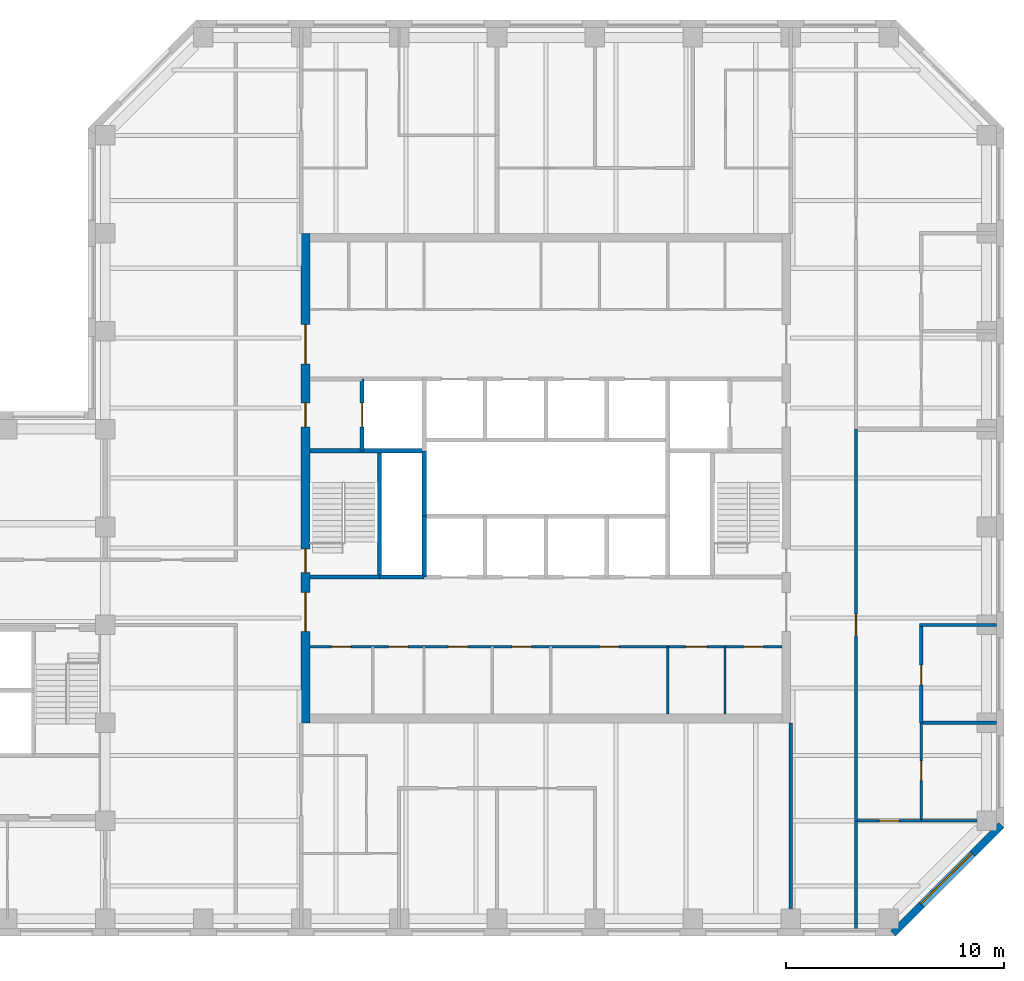
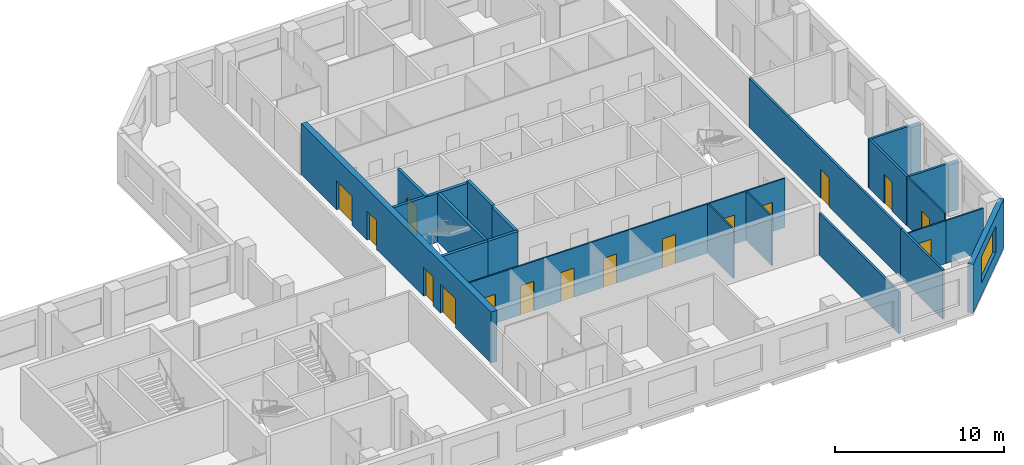
# One storey, part 5 of 9: 21 walls, 16 doors, 1 window, 17 openings.
"""IFC4 building model written with IfcOpenShell, lengths in metres."""

import ifcopenshell
import ifcopenshell.guid

model = None  # the IFC model being written
_history = None  # IfcOwnerHistory: only IFC2X3 demands one
_inside = {}  # id of a spatial element -> (the spatial element, [elements in it])
_under = {}  # id of a project, library or spatial element -> (it, [spatial elements below it])
_declared = {}  # id of a project -> (the project, [libraries it declares])
_typed = {}  # id of a type object -> (the type object, [elements of that type])
_made_of = {}  # id of a material, layer set ... -> (it, [elements and type objects made of it])


def new_model(schema):
    """Start an empty IFC model of exactly this schema.

    Asked for "IFC4X3", IfcOpenShell would pick the latest addendum, in which some entities
    have other attributes; the version numbers below select the first issue.
    IFC2X3 requires an IfcOwnerHistory on every rooted entity: one is made here for all.
    """
    global model, _history
    if schema == "IFC4X3":
        model = ifcopenshell.file(schema_version=(4, 3, 0, 0))
    else:
        model = ifcopenshell.file(schema=schema)
    _inside.clear()
    _under.clear()
    _declared.clear()
    _typed.clear()
    _made_of.clear()
    _history = None
    if model.schema == "IFC2X3":
        org = make("IfcOrganization", Name="unknown")
        user = make(
            "IfcPersonAndOrganization",
            ThePerson=make("IfcPerson", FamilyName="unknown"),
            TheOrganization=org,
        )
        app = make(
            "IfcApplication",
            ApplicationDeveloper=org,
            Version="unknown",
            ApplicationFullName="unknown",
            ApplicationIdentifier="unknown",
        )
        _history = make(
            "IfcOwnerHistory",
            OwningUser=user,
            OwningApplication=app,
            ChangeAction="ADDED",
            CreationDate=0,
        )
    return model


def make(cls, **values):
    """One entity of the class cls with the attributes given. An attribute that is None is left unset."""
    return model.create_entity(
        cls, **{name: value for name, value in values.items() if value is not None}
    )


def rooted(cls, **values):
    """An entity with a GlobalId (a new one), such as an element, a storey or a relation."""
    return make(cls, GlobalId=ifcopenshell.guid.new(), OwnerHistory=_history, **values)


def si_unit(unit_type, name, prefix=None):
    """IfcSIUnit, for example si_unit("LENGTHUNIT", "METRE", prefix="MILLI")."""
    return make("IfcSIUnit", UnitType=unit_type, Prefix=prefix, Name=name)


def assignment(units):
    """IfcUnitAssignment: the units of a project."""
    return None if units is None else make("IfcUnitAssignment", Units=units)


def point(xyz):
    """IfcCartesianPoint."""
    return None if xyz is None else make("IfcCartesianPoint", Coordinates=xyz)


def direction(xyz):
    """IfcDirection."""
    return None if xyz is None else make("IfcDirection", DirectionRatios=xyz)


def frame(location, z_axis=None, x_axis=None):
    """IfcAxis2Placement3D, a coordinate frame: its origin and axes. An axis left out is left unset."""
    return make(
        "IfcAxis2Placement3D",
        Location=point(location),
        Axis=direction(z_axis),
        RefDirection=direction(x_axis),
    )


def frame_2d(location, x_axis=None):
    """IfcAxis2Placement2D, a coordinate frame in the plane: its origin and x axis."""
    return make(
        "IfcAxis2Placement2D", Location=point(location), RefDirection=direction(x_axis)
    )


def origin():
    """The frame at (0, 0, 0) with its axes left unset."""
    return frame((0.0, 0.0, 0.0))


def place(relative_to, where):
    """IfcLocalPlacement: puts the frame where relative to a parent placement (None: the world)."""
    return make(
        "IfcLocalPlacement", PlacementRelTo=relative_to, RelativePlacement=where
    )


def context(
    kind, dimensions, precision=None, world=None, true_north=None, identifier=None
):
    """IfcGeometricRepresentationContext, for example the 3D "Model" context."""
    return make(
        "IfcGeometricRepresentationContext",
        ContextIdentifier=identifier,
        ContextType=kind,
        CoordinateSpaceDimension=dimensions,
        Precision=precision,
        WorldCoordinateSystem=world,
        TrueNorth=true_north,
    )


def subcontext(parent, identifier, kind, view, scale=None):
    """IfcGeometricRepresentationSubContext, for example "Body" below "Model"."""
    return make(
        "IfcGeometricRepresentationSubContext",
        ContextIdentifier=identifier,
        ContextType=kind,
        ParentContext=parent,
        TargetScale=scale,
        TargetView=view,
    )


def project(units=None, contexts=None):
    """IfcProject with its units and contexts."""
    return rooted(
        "IfcProject",
        Name="project",
        RepresentationContexts=contexts,
        UnitsInContext=assignment(units),
    )


def spatial(cls, under=None, at=None, **own):
    """A site, building, storey or space (cls), placed at a placement, below another one or the project."""
    s = rooted(cls, ObjectPlacement=at, **own)
    if under is not None:
        _under.setdefault(under.id(), (under, []))[1].append(s)
    return s


def profile(cls, at=None, kind="AREA", **sizes):
    """A parametric profile (cls). Its sizes go by their IFC names, for example OverallWidth=200.0."""
    return make(cls, ProfileType=kind, Position=at, **sizes)


def rectangle(**sizes):
    """IfcRectangleProfileDef."""
    return profile("IfcRectangleProfileDef", **sizes)


def extrude(swept, where, along, depth):
    """IfcExtrudedAreaSolid: the profile swept, set in the frame where, extruded along a direction by depth."""
    return make(
        "IfcExtrudedAreaSolid",
        SweptArea=swept,
        Position=where,
        ExtrudedDirection=direction(along),
        Depth=depth,
    )


def shape(context_of_items, identifier, shape_type, items):
    """IfcShapeRepresentation: the items that make up one representation, for example the "Body"."""
    return make(
        "IfcShapeRepresentation",
        ContextOfItems=context_of_items,
        RepresentationIdentifier=identifier,
        RepresentationType=shape_type,
        Items=items,
    )


def material(Name=None, Category=None):
    """IfcMaterial."""
    return make("IfcMaterial", Name=Name, Category=Category)


def layer(
    of_material, thickness, ventilated=None, Name=None, Category=None, Priority=None
):
    """IfcMaterialLayer: one layer of a wall or slab, of a material (None: an air gap)."""
    return make(
        "IfcMaterialLayer",
        Material=of_material,
        LayerThickness=thickness,
        IsVentilated=ventilated,
        Name=Name,
        Category=Category,
        Priority=Priority,
    )


def layer_set(layers, Name=None):
    """IfcMaterialLayerSet."""
    return make("IfcMaterialLayerSet", MaterialLayers=layers, LayerSetName=Name)


def constituent(of_material, Name=None, Category=None, fraction=None):
    """IfcMaterialConstituent: one of the materials an element consists of."""
    return make(
        "IfcMaterialConstituent",
        Name=Name,
        Material=of_material,
        Fraction=fraction,
        Category=Category,
    )


def constituent_set(constituents=None, Name=None):
    """IfcMaterialConstituentSet."""
    return make(
        "IfcMaterialConstituentSet", Name=Name, MaterialConstituents=constituents
    )


def made_of(thing, what):
    """Note that an element or type object is made of a material, layer set ...; save() writes the relation."""
    if what is not None:
        _made_of.setdefault(what.id(), (what, []))[1].append(thing)
    return thing


def type_object(cls, material=None, **own):
    """A type object (cls), such as IfcWallType, which elements share."""
    return made_of(rooted(cls, **own), material)


def element(
    cls,
    number,
    at=None,
    inside=None,
    cuts=None,
    type_object=None,
    material=None,
    context=None,
    identifier="Body",
    shape_type=None,
    held_by="IfcProductDefinitionShape",
    body=None,
    shapes=None,
    **own,
):
    """One element of the class cls, such as IfcWall. Its Tag is "e" and its number.

    at: its placement. inside: the storey or other place that contains it. cuts: it is an
    opening in that element (IfcRelVoidsElement). A single representation is given by context,
    identifier, shape_type and body (its items); several are given by shapes. held_by: the class
    of the entity that holds the representations. save() writes the other relations.
    """
    e = rooted(cls, Tag="e%d" % number, ObjectPlacement=at, **own)
    if body is not None:
        shapes = [shape(context, identifier, shape_type, body)]
    if shapes is not None:
        e.Representation = make(held_by, Representations=shapes)
    if inside is not None:
        _inside.setdefault(inside.id(), (inside, []))[1].append(e)
    if cuts is not None:
        rooted(
            "IfcRelVoidsElement", RelatingBuildingElement=cuts, RelatedOpeningElement=e
        )
    if type_object is not None:
        _typed.setdefault(type_object.id(), (type_object, []))[1].append(e)
    return made_of(e, material)


def fill(opening, filler):
    """IfcRelFillsElement: the door or window that sits in an opening."""
    return rooted(
        "IfcRelFillsElement",
        RelatingOpeningElement=opening,
        RelatedBuildingElement=filler,
    )


def aggregate(whole, parts):
    """IfcRelAggregates: a whole, such as a stair, and the parts it consists of."""
    return rooted("IfcRelAggregates", RelatingObject=whole, RelatedObjects=parts)


def save(model, path):
    """Write the relations noted so far, then the file.

    IfcRelAggregates (storeys below a building ...), IfcRelContainedInSpatialStructure (elements
    in a storey), IfcRelDefinesByType, IfcRelAssociatesMaterial and IfcRelDeclares: one each for
    every whole, place, type object, material and project.
    """
    for whole, parts in _under.values():
        aggregate(whole, parts)
    for where, things in _inside.values():
        rooted(
            "IfcRelContainedInSpatialStructure",
            RelatedElements=things,
            RelatingStructure=where,
        )
    for kind, things in _typed.values():
        rooted("IfcRelDefinesByType", RelatedObjects=things, RelatingType=kind)
    for what, things in _made_of.values():
        rooted("IfcRelAssociatesMaterial", RelatedObjects=things, RelatingMaterial=what)
    for by, libraries in _declared.values():
        rooted("IfcRelDeclares", RelatingContext=by, RelatedDefinitions=libraries)
    model.write(path)


model = new_model("IFC4")

# Units and contexts
model_context = context("Model", 3, precision=1e-05, world=origin(), true_north=direction((0.0, 1.0)))
body_context = subcontext(model_context, "Body", "Model", "MODEL_VIEW")
ifc_project = project(units=[si_unit("LENGTHUNIT", "METRE"), si_unit("AREAUNIT", "SQUARE_METRE"), si_unit("VOLUMEUNIT", "CUBIC_METRE"), si_unit("PLANEANGLEUNIT", "RADIAN"), si_unit("MASSUNIT", "GRAM", prefix="KILO")], contexts=[model_context])

# Site, building, storey
site_placement = place(None, origin())
site = spatial("IfcSite", under=ifc_project, at=site_placement, CompositionType="ELEMENT")
building_placement = place(site_placement, origin())
building = spatial("IfcBuilding", under=site, at=building_placement, Name="Quoin Convention Tower", CompositionType="ELEMENT")
storey_placement = place(building_placement, frame((0.0, 0.0, 252.60009765625)))
storey = spatial("IfcBuildingStorey", under=building, at=storey_placement, Name="L66", CompositionType="ELEMENT", Elevation=252.60009765625)

# Walls
ifc_material_1 = material(Name="Plasterboard")
ifc_layer_1 = layer(ifc_material_1, 0.012451171875, Name="Finish")
ifc_material_2 = material(Name="Steel stud framing", Category="steel")
ifc_layer_2 = layer(ifc_material_2, 0.125, Name="Structure")
ifc_layer_3 = layer(ifc_material_1, 0.012451171875, Name="Finish")
ifc_layer_set_1 = layer_set([ifc_layer_1, ifc_layer_2, ifc_layer_3], Name="Steel stud framing")
wall_type_1 = type_object("IfcWallType", Name="Acoustic partition 150", PredefinedType="PARTITIONING", material=ifc_layer_set_1)
wall_1_placement = place(storey_placement, frame((73.574951171875, 49.5, 0.0), z_axis=(0.0, 0.0, 1.0), x_axis=(1.0, 0.0, 0.0)))
element("IfcWall", 1, at=wall_1_placement, inside=storey, type_object=wall_type_1, Name="pw-L66-013", PredefinedType="PARTITIONING", context=body_context, shape_type="SweptSolid", body=[
    extrude(rectangle(XDim=3.375, YDim=0.14990234375, at=frame_2d((1.6875, 0.0))), origin(), (0.0, 0.0, 1.0), 3.5498046875),
])
wall_2_placement = place(storey_placement, frame((73.425048828125, 54.0, 0.0), z_axis=(0.0, 0.0, 1.0), x_axis=(1.0, 0.0, 0.0)))
element("IfcWall", 2, at=wall_2_placement, inside=storey, type_object=wall_type_1, Name="pw-L66-017", PredefinedType="PARTITIONING", context=body_context, shape_type="SweptSolid", body=[
    extrude(rectangle(XDim=3.52490234375, YDim=0.14990234375, at=frame_2d((1.762451171875, 0.0))), origin(), (0.0, 0.0, 1.0), 3.5498046875),
])

# Wall, opening, door
wall_3_placement = place(storey_placement, frame((73.5, 49.5, 0.0), z_axis=(0.0, 0.0, 1.0), x_axis=(0.0, 1.0, 0.0)))
wall_3 = element("IfcWall", 3, at=wall_3_placement, inside=storey, type_object=wall_type_1, Name="pw-L66-054", PredefinedType="PARTITIONING", context=body_context, shape_type="SweptSolid", body=[
    extrude(rectangle(XDim=4.425048828125, YDim=0.14990234375, at=frame_2d((2.21240234375, 0.0))), origin(), (0.0, 0.0, 1.0), 3.5498046875),
])
opening_1_placement = place(wall_3_placement, frame((1.75, 0.0, 0.0)))
opening_1 = element("IfcOpeningElement", 4, at=opening_1_placement, cuts=wall_3, Name="Opening DOH12-14", PredefinedType="OPENING", context=body_context, shape_type="SweptSolid", body=[
    extrude(rectangle(XDim=0.89990234375, YDim=2.10009765625, at=frame_2d((0.449951171875, 1.050048828125))), frame((0.0, 0.0849609375, 0.0), z_axis=(0.0, -1.0, 0.0), x_axis=(1.0, 0.0, 0.0)), (0.0, 0.0, 1.0), 0.169921875),
])
ifc_material_3 = material(Name="Steel door leaf", Category="steel")
door_type_1 = type_object("IfcDoorType", Name="Office door 900 x 2100", OperationType="SINGLE_SWING_RIGHT", PredefinedType="DOOR", material=ifc_material_3)
door_1_placement = place(opening_1_placement, origin())
door_1 = element("IfcDoor", 5, at=door_1_placement, inside=storey, type_object=door_type_1, Name="dr-L66-26", OperationType="SINGLE_SWING_RIGHT", OverallHeight=2.10009765625, OverallWidth=0.89990234375, PredefinedType="DOOR", context=body_context, shape_type="SweptSolid", body=[
    extrude(rectangle(XDim=0.89990234375, YDim=2.10009765625, at=frame_2d((0.449951171875, 1.050048828125))), frame((0.0, 0.02490234375, 0.0), z_axis=(0.0, -1.0, 0.0), x_axis=(1.0, 0.0, 0.0)), (0.0, 0.0, 1.0), 0.050048828125),
])
fill(opening_1, door_1)

# Wall, opening, window
ifc_material_4 = material(Name="Brick masonry", Category="masonry")
ifc_layer_4 = layer(ifc_material_4, 0.35009765625)
ifc_layer_set_2 = layer_set([ifc_layer_4], Name="Brick masonry")
wall_type_2 = type_object("IfcWallType", Name="Brick facade wall", PredefinedType="STANDARD", material=ifc_layer_set_2)
wall_4_placement = place(storey_placement, frame((72.20751953125, 39.82373046875, 0.0), z_axis=(0.0, 0.0, 1.0), x_axis=(0.707106781187, 0.707106781187, 0.0)))
wall_4 = element("IfcWall", 6, at=wall_4_placement, inside=storey, type_object=wall_type_2, Name="fw-L66-72000_40500", PredefinedType="STANDARD", context=body_context, shape_type="SweptSolid", body=[
    extrude(rectangle(XDim=7.02685546875, YDim=0.35009765625, at=frame_2d((3.513427734375, 0.0))), origin(), (0.0, 0.0, 1.0), 3.52490234375),
])
opening_2_placement = place(wall_4_placement, frame((1.86328125, 0.0, 0.89990234375)))
opening_2 = element("IfcOpeningElement", 7, at=opening_2_placement, cuts=wall_4, Name="Opening W-02", PredefinedType="OPENING", context=body_context, shape_type="SweptSolid", body=[
    extrude(rectangle(XDim=3.300048828125, YDim=1.89990234375, at=frame_2d((1.64990234375, 0.949951171875))), frame((0.0, 0.18505859375, 0.0), z_axis=(0.0, -1.0, 0.0), x_axis=(1.0, 0.0, 0.0)), (0.0, 0.0, 1.0), 0.3701171875),
])
ifc_material_5 = material(Name="Aluminium", Category="aluminium")
ifc_constituent_1 = constituent(ifc_material_5, Name="Frame")
ifc_material_6 = material(Name="Insulated glass", Category="glass")
ifc_constituent_2 = constituent(ifc_material_6, Name="Glazing")
ifc_constituent_set = constituent_set(constituents=[ifc_constituent_1, ifc_constituent_2], Name="Aluminium")
window_type = type_object("IfcWindowType", Name="Office window", PartitioningType="DOUBLE_PANEL_VERTICAL", PredefinedType="WINDOW", material=ifc_constituent_set)
window_placement = place(opening_2_placement, origin())
window = element("IfcWindow", 8, at=window_placement, inside=storey, type_object=window_type, Name="win-L66-74692_42308", OverallHeight=1.89990234375, OverallWidth=3.300048828125, PartitioningType="SINGLE_PANEL", PredefinedType="WINDOW", context=body_context, shape_type="SweptSolid", body=[
    extrude(rectangle(XDim=3.300048828125, YDim=1.89990234375, at=frame_2d((1.64990234375, 0.949951171875))), frame((0.0, 0.0849609375, 0.0), z_axis=(0.0, -1.0, 0.0), x_axis=(1.0, 0.0, 0.0)), (0.0, 0.0, 1.0), 0.06005859375),
])
fill(opening_2, window)

# Wall, openings, doors
ifc_layer_5 = layer(ifc_material_1, 0.012451171875, Name="Finish")
ifc_layer_6 = layer(ifc_material_2, 0.074951171875, Name="Structure")
ifc_layer_7 = layer(ifc_material_1, 0.012451171875, Name="Finish")
ifc_layer_set_3 = layer_set([ifc_layer_5, ifc_layer_6, ifc_layer_7], Name="Steel stud framing")
wall_type_3 = type_object("IfcWallType", Name="Core partition wall", PredefinedType="PARTITIONING", material=ifc_layer_set_3)
wall_5_placement = place(storey_placement, frame((45.39990234375, 53.0, 0.0), z_axis=(0.0, 0.0, 1.0), x_axis=(1.0, 0.0, 0.0)))
wall_5 = element("IfcWall", 9, at=wall_5_placement, inside=storey, type_object=wall_type_3, Name="cr-C1-L66-h3500_400", PredefinedType="PARTITIONING", context=body_context, shape_type="SweptSolid", body=[
    extrude(rectangle(XDim=21.7001953125, YDim=0.10009765625, at=frame_2d((10.85009765625, 0.0))), origin(), (0.0, 0.0, 1.0), 3.5498046875),
])
opening_3_placement = place(wall_5_placement, frame((19.9375, 0.0, 0.0)))
opening_3 = element("IfcOpeningElement", 10, at=opening_3_placement, cuts=wall_5, Name="Opening DCV4-33", PredefinedType="OPENING", context=body_context, shape_type="SweptSolid", body=[
    extrude(rectangle(XDim=0.89990234375, YDim=2.10009765625, at=frame_2d((0.449951171875, 1.050048828125))), frame((0.0, 0.06005859375, 0.0), z_axis=(0.0, -1.0, 0.0), x_axis=(1.0, 0.0, 0.0)), (0.0, 0.0, 1.0), 0.1201171875),
])
opening_4_placement = place(wall_5_placement, frame((17.262451171875, 0.0, 0.0)))
opening_4 = element("IfcOpeningElement", 11, at=opening_4_placement, cuts=wall_5, Name="Opening DCV4-32", PredefinedType="OPENING", context=body_context, shape_type="SweptSolid", body=[
    extrude(rectangle(XDim=1.0, YDim=2.10009765625, at=frame_2d((0.5, 1.050048828125))), frame((0.0, 0.06005859375, 0.0), z_axis=(0.0, -1.0, 0.0), x_axis=(1.0, 0.0, 0.0)), (0.0, 0.0, 1.0), 0.1201171875),
])
opening_5_placement = place(wall_5_placement, frame((0.993896484375, 0.0, 0.0)))
opening_5 = element("IfcOpeningElement", 12, at=opening_5_placement, cuts=wall_5, Name="Opening DCV4-25", PredefinedType="OPENING", context=body_context, shape_type="SweptSolid", body=[
    extrude(rectangle(XDim=0.89990234375, YDim=2.10009765625, at=frame_2d((0.449951171875, 1.050048828125))), frame((0.0, 0.06005859375, 0.0), z_axis=(0.0, -1.0, 0.0), x_axis=(1.0, 0.0, 0.0)), (0.0, 0.0, 1.0), 0.1201171875),
])
opening_6_placement = place(wall_5_placement, frame((3.618896484375, 0.0, 0.0)))
opening_6 = element("IfcOpeningElement", 13, at=opening_6_placement, cuts=wall_5, Name="Opening DCV4-26", PredefinedType="OPENING", context=body_context, shape_type="SweptSolid", body=[
    extrude(rectangle(XDim=0.89990234375, YDim=2.10009765625, at=frame_2d((0.449951171875, 1.050048828125))), frame((0.0, 0.06005859375, 0.0), z_axis=(0.0, -1.0, 0.0), x_axis=(1.0, 0.0, 0.0)), (0.0, 0.0, 1.0), 0.1201171875),
])
opening_7_placement = place(wall_5_placement, frame((6.367919921875, 0.0, 0.0)))
opening_7 = element("IfcOpeningElement", 14, at=opening_7_placement, cuts=wall_5, Name="Opening DCV4-27", PredefinedType="OPENING", context=body_context, shape_type="SweptSolid", body=[
    extrude(rectangle(XDim=0.89990234375, YDim=2.10009765625, at=frame_2d((0.449951171875, 1.050048828125))), frame((0.0, 0.06005859375, 0.0), z_axis=(0.0, -1.0, 0.0), x_axis=(1.0, 0.0, 0.0)), (0.0, 0.0, 1.0), 0.1201171875),
])
opening_8_placement = place(wall_5_placement, frame((9.280029296875, 0.0, 0.0)))
opening_8 = element("IfcOpeningElement", 15, at=opening_8_placement, cuts=wall_5, Name="Opening DCV4-29", PredefinedType="OPENING", context=body_context, shape_type="SweptSolid", body=[
    extrude(rectangle(XDim=0.89990234375, YDim=2.10009765625, at=frame_2d((0.449951171875, 1.050048828125))), frame((0.0, 0.06005859375, 0.0), z_axis=(0.0, -1.0, 0.0), x_axis=(1.0, 0.0, 0.0)), (0.0, 0.0, 1.0), 0.1201171875),
])
opening_9_placement = place(wall_5_placement, frame((13.31201171875, 0.0, 0.0)))
opening_9 = element("IfcOpeningElement", 16, at=opening_9_placement, cuts=wall_5, Name="Opening DCV4-30", PredefinedType="OPENING", context=body_context, shape_type="SweptSolid", body=[
    extrude(rectangle(XDim=0.89990234375, YDim=2.10009765625, at=frame_2d((0.449951171875, 1.050048828125))), frame((0.0, 0.06005859375, 0.0), z_axis=(0.0, -1.0, 0.0), x_axis=(1.0, 0.0, 0.0)), (0.0, 0.0, 1.0), 0.1201171875),
])
door_type_2 = type_object("IfcDoorType", Name="Core room door 1000 x 2100", OperationType="SINGLE_SWING_LEFT", PredefinedType="DOOR", material=ifc_material_3)
door_2_placement = place(opening_4_placement, frame((1.0, 0.0, 0.0), z_axis=(0.0, 0.0, 1.0), x_axis=(-1.0, 0.0, 0.0)))
door_2 = element("IfcDoor", 17, at=door_2_placement, inside=storey, type_object=door_type_2, Name="cd-C1-L66-CSE1-lobA-CD6613", OperationType="SINGLE_SWING_LEFT", OverallHeight=2.10009765625, OverallWidth=1.0, PredefinedType="DOOR", context=body_context, shape_type="SweptSolid", body=[
    extrude(rectangle(XDim=1.0, YDim=2.10009765625, at=frame_2d((0.5, 1.050048828125))), frame((0.0, 0.02490234375, 0.0), z_axis=(0.0, -1.0, 0.0), x_axis=(1.0, 0.0, 0.0)), (0.0, 0.0, 1.0), 0.050048828125),
])
fill(opening_4, door_2)
door_type_3 = type_object("IfcDoorType", Name="Core room door 900 x 2100", OperationType="SINGLE_SWING_LEFT", PredefinedType="DOOR", material=ifc_material_3)
door_3_placement = place(opening_3_placement, frame((0.89990234375, 0.0, 0.0), z_axis=(0.0, 0.0, 1.0), x_axis=(-1.0, 0.0, 0.0)))
door_3 = element("IfcDoor", 18, at=door_3_placement, inside=storey, type_object=door_type_3, Name="cd-C1-L66-CSE0-lobA-CD6612", OperationType="SINGLE_SWING_LEFT", OverallHeight=2.10009765625, OverallWidth=0.89990234375, PredefinedType="DOOR", context=body_context, shape_type="SweptSolid", body=[
    extrude(rectangle(XDim=0.89990234375, YDim=2.10009765625, at=frame_2d((0.449951171875, 1.050048828125))), frame((0.0, 0.02490234375, 0.0), z_axis=(0.0, -1.0, 0.0), x_axis=(1.0, 0.0, 0.0)), (0.0, 0.0, 1.0), 0.050048828125),
])
fill(opening_3, door_3)
door_4_placement = place(opening_5_placement, frame((0.89990234375, 0.0, 0.0), z_axis=(0.0, 0.0, 1.0), x_axis=(-1.0, 0.0, 0.0)))
door_4 = element("IfcDoor", 19, at=door_4_placement, inside=storey, type_object=door_type_3, Name="cd-C1-L66-CSW0-lobA-CD6614", OperationType="SINGLE_SWING_LEFT", OverallHeight=2.10009765625, OverallWidth=0.89990234375, PredefinedType="DOOR", context=body_context, shape_type="SweptSolid", body=[
    extrude(rectangle(XDim=0.89990234375, YDim=2.10009765625, at=frame_2d((0.449951171875, 1.050048828125))), frame((0.0, 0.02490234375, 0.0), z_axis=(0.0, -1.0, 0.0), x_axis=(1.0, 0.0, 0.0)), (0.0, 0.0, 1.0), 0.050048828125),
])
fill(opening_5, door_4)
door_5_placement = place(opening_6_placement, frame((0.89990234375, 0.0, 0.0), z_axis=(0.0, 0.0, 1.0), x_axis=(-1.0, 0.0, 0.0)))
door_5 = element("IfcDoor", 20, at=door_5_placement, inside=storey, type_object=door_type_3, Name="cd-C1-L66-CSW1-lobA-CD6615", OperationType="SINGLE_SWING_LEFT", OverallHeight=2.10009765625, OverallWidth=0.89990234375, PredefinedType="DOOR", context=body_context, shape_type="SweptSolid", body=[
    extrude(rectangle(XDim=0.89990234375, YDim=2.10009765625, at=frame_2d((0.449951171875, 1.050048828125))), frame((0.0, 0.02490234375, 0.0), z_axis=(0.0, -1.0, 0.0), x_axis=(1.0, 0.0, 0.0)), (0.0, 0.0, 1.0), 0.050048828125),
])
fill(opening_6, door_5)
door_6_placement = place(opening_7_placement, frame((0.89990234375, 0.0, 0.0), z_axis=(0.0, 0.0, 1.0), x_axis=(-1.0, 0.0, 0.0)))
door_6 = element("IfcDoor", 21, at=door_6_placement, inside=storey, type_object=door_type_3, Name="cd-C1-L66-F10-lobA-CD6616", OperationType="SINGLE_SWING_LEFT", OverallHeight=2.10009765625, OverallWidth=0.89990234375, PredefinedType="DOOR", context=body_context, shape_type="SweptSolid", body=[
    extrude(rectangle(XDim=0.89990234375, YDim=2.10009765625, at=frame_2d((0.449951171875, 1.050048828125))), frame((0.0, 0.02490234375, 0.0), z_axis=(0.0, -1.0, 0.0), x_axis=(1.0, 0.0, 0.0)), (0.0, 0.0, 1.0), 0.050048828125),
])
fill(opening_7, door_6)
door_7_placement = place(opening_8_placement, frame((0.89990234375, 0.0, 0.0), z_axis=(0.0, 0.0, 1.0), x_axis=(-1.0, 0.0, 0.0)))
door_7 = element("IfcDoor", 22, at=door_7_placement, inside=storey, type_object=door_type_3, Name="cd-C1-L66-F11-lobA-CD6617", OperationType="SINGLE_SWING_LEFT", OverallHeight=2.10009765625, OverallWidth=0.89990234375, PredefinedType="DOOR", context=body_context, shape_type="SweptSolid", body=[
    extrude(rectangle(XDim=0.89990234375, YDim=2.10009765625, at=frame_2d((0.449951171875, 1.050048828125))), frame((0.0, 0.02490234375, 0.0), z_axis=(0.0, -1.0, 0.0), x_axis=(1.0, 0.0, 0.0)), (0.0, 0.0, 1.0), 0.050048828125),
])
fill(opening_8, door_7)
door_8_placement = place(opening_9_placement, frame((0.89990234375, 0.0, 0.0), z_axis=(0.0, 0.0, 1.0), x_axis=(-1.0, 0.0, 0.0)))
door_8 = element("IfcDoor", 23, at=door_8_placement, inside=storey, type_object=door_type_3, Name="cd-C1-L66-F12-lobA-CD6618", OperationType="SINGLE_SWING_LEFT", OverallHeight=2.10009765625, OverallWidth=0.89990234375, PredefinedType="DOOR", context=body_context, shape_type="SweptSolid", body=[
    extrude(rectangle(XDim=0.89990234375, YDim=2.10009765625, at=frame_2d((0.449951171875, 1.050048828125))), frame((0.0, 0.02490234375, 0.0), z_axis=(0.0, -1.0, 0.0), x_axis=(1.0, 0.0, 0.0)), (0.0, 0.0, 1.0), 0.050048828125),
])
fill(opening_9, door_8)

# Walls
for number, where, z_axis, x_axis, name in (
    (24, (61.85009765625, 49.89990234375, 0.0), (0.0, 0.0, 1.0), (0.0, 1.0, 0.0), "cr-C1-L66-v16850_400"),
    (25, (64.47509765625, 49.89990234375, 0.0), (0.0, 0.0, 1.0), (0.0, 1.0, 0.0), "cr-C1-L66-v19475_400"),
):
    element("IfcWall", number, at=place(storey_placement, frame(where, z_axis=z_axis, x_axis=x_axis)), inside=storey, type_object=wall_type_3, Name=name, PredefinedType="PARTITIONING", context=body_context, shape_type="SweptSolid", body=[
        extrude(rectangle(XDim=3.10009765625, YDim=0.10009765625, at=frame_2d((1.550048828125, 0.0))), origin(), (0.0, 0.0, 1.0), 3.5498046875),
    ])
ifc_material_7 = material(Name="Concrete C50", Category="concrete")
ifc_layer_8 = layer(ifc_material_7, 0.199951171875)
ifc_layer_set_4 = layer_set([ifc_layer_8], Name="Concrete C50")
wall_type_4 = type_object("IfcWallType", Name="Core shaft wall", PredefinedType="SOLIDWALL", material=ifc_layer_set_4)
wall_6_placement = place(storey_placement, frame((48.60009765625, 56.199951171875, 0.0), z_axis=(0.0, 0.0, 1.0), x_axis=(1.0, 0.0, 0.0)))
element("IfcWall", 26, at=wall_6_placement, inside=storey, type_object=wall_type_4, Name="cr-C1-L66-h6700_3600", PredefinedType="SOLIDWALL", context=body_context, shape_type="SweptSolid", body=[
    extrude(rectangle(XDim=2.0498046875, YDim=0.199951171875, at=frame_2d((1.02490234375, 0.0))), origin(), (0.0, 0.0, 1.0), 3.5498046875),
])
wall_7_placement = place(storey_placement, frame((45.39990234375, 56.199951171875, 0.0), z_axis=(0.0, 0.0, 1.0), x_axis=(1.0, 0.0, 0.0)))
element("IfcWall", 27, at=wall_7_placement, inside=storey, type_object=wall_type_4, Name="cr-C1-L66-h6700_400", PredefinedType="SOLIDWALL", context=body_context, shape_type="SweptSolid", body=[
    extrude(rectangle(XDim=3.2001953125, YDim=0.199951171875, at=frame_2d((1.60009765625, 0.0))), origin(), (0.0, 0.0, 1.0), 3.5498046875),
])
wall_8_placement = place(storey_placement, frame((45.39990234375, 62.0, 0.0), z_axis=(0.0, 0.0, 1.0), x_axis=(1.0, 0.0, 0.0)))
element("IfcWall", 28, at=wall_8_placement, inside=storey, type_object=wall_type_4, Name="cr-C1-L66-h12500_400", PredefinedType="SOLIDWALL", context=body_context, shape_type="SweptSolid", body=[
    extrude(rectangle(XDim=5.25, YDim=0.199951171875, at=frame_2d((2.625, 0.0))), origin(), (0.0, 0.0, 1.0), 3.5498046875),
])

# Wall, opening, door
wall_9_placement = place(storey_placement, frame((47.800048828125, 62.0, 0.0), z_axis=(0.0, 0.0, 1.0), x_axis=(0.0, 1.0, 0.0)))
wall_9 = element("IfcWall", 29, at=wall_9_placement, inside=storey, type_object=wall_type_4, Name="cr-C1-L66-v2800_12500", PredefinedType="SOLIDWALL", context=body_context, shape_type="SweptSolid", body=[
    extrude(rectangle(XDim=3.300048828125, YDim=0.199951171875, at=frame_2d((1.64990234375, 0.0))), origin(), (0.0, 0.0, 1.0), 3.5498046875),
])
opening_10_placement = place(wall_9_placement, frame((1.10009765625, 0.0, 0.0)))
opening_10 = element("IfcOpeningElement", 30, at=opening_10_placement, cuts=wall_9, Name="Opening LDFL1", PredefinedType="OPENING", context=body_context, shape_type="SweptSolid", body=[
    extrude(rectangle(XDim=1.10009765625, YDim=2.10009765625, at=frame_2d((0.550048828125, 1.050048828125))), frame((0.0, 0.10986328125, 0.0), z_axis=(0.0, -1.0, 0.0), x_axis=(1.0, 0.0, 0.0)), (0.0, 0.0, 1.0), 0.219970703125),
])
door_type_4 = type_object("IfcDoorType", Name="Lift landing door 1100 x 2100", OperationType="DOUBLE_DOOR_SLIDING", PredefinedType="DOOR", material=ifc_material_3)
door_9_placement = place(opening_10_placement, origin())
door_9 = element("IfcDoor", 31, at=door_9_placement, inside=storey, type_object=door_type_4, Name="cd-C1-L66-FLW-FFW-LDFL1", OperationType="DOUBLE_DOOR_SLIDING", OverallHeight=2.10009765625, OverallWidth=1.10009765625, PredefinedType="DOOR", context=body_context, shape_type="SweptSolid", body=[
    extrude(rectangle(XDim=1.10009765625, YDim=2.10009765625, at=frame_2d((0.550048828125, 1.050048828125))), frame((0.0, 0.02490234375, 0.0), z_axis=(0.0, -1.0, 0.0), x_axis=(1.0, 0.0, 0.0)), (0.0, 0.0, 1.0), 0.050048828125),
])
fill(opening_10, door_9)

# Walls
wall_10_placement = place(storey_placement, frame((48.60009765625, 56.199951171875, 0.0), z_axis=(0.0, 0.0, 1.0), x_axis=(0.0, 1.0, 0.0)))
element("IfcWall", 32, at=wall_10_placement, inside=storey, type_object=wall_type_4, Name="cr-C1-L66-v3600_6700", PredefinedType="SOLIDWALL", context=body_context, shape_type="SweptSolid", body=[
    extrude(rectangle(XDim=5.800048828125, YDim=0.199951171875, at=frame_2d((2.89990234375, 0.0))), origin(), (0.0, 0.0, 1.0), 3.5498046875),
])
wall_11_placement = place(storey_placement, frame((50.64990234375, 56.199951171875, 0.0), z_axis=(0.0, 0.0, 1.0), x_axis=(0.0, 1.0, 0.0)))
element("IfcWall", 33, at=wall_11_placement, inside=storey, type_object=wall_type_4, Name="cr-C1-L66-v5650_6700", PredefinedType="SOLIDWALL", context=body_context, shape_type="SweptSolid", body=[
    extrude(rectangle(XDim=2.800048828125, YDim=0.199951171875, at=frame_2d((1.39990234375, 0.0))), origin(), (0.0, 0.0, 1.0), 3.5498046875),
])
ifc_layer_9 = layer(ifc_material_7, 0.199951171875)
ifc_layer_set_5 = layer_set([ifc_layer_9], Name="Concrete C50")
wall_type_5 = type_object("IfcWallType", Name="Core shaft wall to the floor level over", PredefinedType="SOLIDWALL", material=ifc_layer_set_5)
wall_12_placement = place(storey_placement, frame((50.64990234375, 59.0, 0.0), z_axis=(0.0, 0.0, 1.0), x_axis=(0.0, 1.0, 0.0)))
element("IfcWall", 34, at=wall_12_placement, inside=storey, type_object=wall_type_5, Name="cr-C1-L66-v5650_9500", PredefinedType="SOLIDWALL", context=body_context, shape_type="SweptSolid", body=[
    extrude(rectangle(XDim=3.0, YDim=0.199951171875, at=frame_2d((1.5, 0.0))), origin(), (0.0, 0.0, 1.0), 3.699951171875),
])
ifc_layer_10 = layer(ifc_material_1, 0.012451171875, Name="Finish")
ifc_layer_11 = layer(ifc_material_2, 0.125, Name="Structure")
ifc_layer_12 = layer(ifc_material_1, 0.012451171875, Name="Finish")
ifc_layer_set_6 = layer_set([ifc_layer_10, ifc_layer_11, ifc_layer_12], Name="Steel stud framing")
wall_type_6 = type_object("IfcWallType", Name="Corridor wall 150", PredefinedType="PARTITIONING", material=ifc_layer_set_6)
wall_13_placement = place(storey_placement, frame((70.5, 40.050048828125, 0.0), z_axis=(0.0, 0.0, 1.0), x_axis=(0.0, 1.0, 0.0)))
element("IfcWall", 35, at=wall_13_placement, inside=storey, type_object=wall_type_6, Name="pw-L66-040", PredefinedType="PARTITIONING", context=body_context, shape_type="SweptSolid", body=[
    extrude(rectangle(XDim=4.949951171875, YDim=0.14990234375, at=frame_2d((2.47509765625, 0.0))), origin(), (0.0, 0.0, 1.0), 3.5498046875),
])

# Wall, opening, door
wall_14_placement = place(storey_placement, frame((70.5, 45.0, 0.0), z_axis=(0.0, 0.0, 1.0), x_axis=(0.0, 1.0, 0.0)))
wall_14 = element("IfcWall", 36, at=wall_14_placement, inside=storey, type_object=wall_type_6, Name="pw-L66-047", PredefinedType="PARTITIONING", context=body_context, shape_type="SweptSolid", body=[
    extrude(rectangle(XDim=18.0, YDim=0.14990234375, at=frame_2d((9.0, 0.0))), origin(), (0.0, 0.0, 1.0), 3.5498046875),
])
opening_11_placement = place(wall_14_placement, frame((8.5, 0.0, 0.0)))
opening_11 = element("IfcOpeningElement", 37, at=opening_11_placement, cuts=wall_14, Name="Opening DOH12-12", PredefinedType="OPENING", context=body_context, shape_type="SweptSolid", body=[
    extrude(rectangle(XDim=1.0, YDim=2.10009765625, at=frame_2d((0.5, 1.050048828125))), frame((0.0, 0.0849609375, 0.0), z_axis=(0.0, -1.0, 0.0), x_axis=(1.0, 0.0, 0.0)), (0.0, 0.0, 1.0), 0.169921875),
])
door_type_5 = type_object("IfcDoorType", Name="Tenancy entrance door 1000 x 2100", OperationType="DOUBLE_DOOR_SINGLE_SWING", PredefinedType="DOOR", material=ifc_material_3)
door_10_placement = place(opening_11_placement, frame((1.0, 0.0, 0.0), z_axis=(0.0, 0.0, 1.0), x_axis=(-1.0, 0.0, 0.0)))
door_10 = element("IfcDoor", 38, at=door_10_placement, inside=storey, type_object=door_type_5, Name="dr-L66-23", OperationType="DOUBLE_DOOR_SINGLE_SWING", OverallHeight=2.10009765625, OverallWidth=1.0, PredefinedType="DOOR", context=body_context, shape_type="SweptSolid", body=[
    extrude(rectangle(XDim=1.0, YDim=2.10009765625, at=frame_2d((0.5, 1.050048828125))), frame((0.0, 0.02490234375, 0.0), z_axis=(0.0, -1.0, 0.0), x_axis=(1.0, 0.0, 0.0)), (0.0, 0.0, 1.0), 0.050048828125),
])
fill(opening_11, door_10)

# Wall
ifc_layer_13 = layer(ifc_material_1, 0.012451171875, Name="Finish")
ifc_layer_14 = layer(ifc_material_2, 0.125, Name="Structure")
ifc_layer_15 = layer(ifc_material_1, 0.012451171875, Name="Finish")
ifc_layer_set_7 = layer_set([ifc_layer_13, ifc_layer_14, ifc_layer_15], Name="Steel stud framing")
wall_type_7 = type_object("IfcWallType", Name="Corridor wall 150 under beam 528", PredefinedType="PARTITIONING", material=ifc_layer_set_7)
wall_15_placement = place(storey_placement, frame((67.5, 40.050048828125, 0.0), z_axis=(0.0, 0.0, 1.0), x_axis=(0.0, 1.0, 0.0)))
element("IfcWall", 39, at=wall_15_placement, inside=storey, type_object=wall_type_7, Name="pw-L66-039", PredefinedType="PARTITIONING", context=body_context, shape_type="SweptSolid", body=[
    extrude(rectangle(XDim=9.449951171875, YDim=0.14990234375, at=frame_2d((4.72509765625, 0.0))), origin(), (0.0, 0.0, 1.0), 3.02197265625),
])

# Wall, openings, doors
ifc_layer_16 = layer(ifc_material_7, 0.39990234375)
ifc_layer_set_8 = layer_set([ifc_layer_16], Name="Concrete C50")
wall_type_8 = type_object("IfcWallType", Name="RC CORE WALL 400 C50", PredefinedType="SHEAR", material=ifc_layer_set_8)
wall_16_placement = place(storey_placement, frame((45.199951171875, 49.5, 0.0), z_axis=(0.0, 0.0, 1.0), x_axis=(0.0, 1.0, 0.0)))
wall_16 = element("IfcWall", 40, at=wall_16_placement, inside=storey, type_object=wall_type_8, Name="cwl-C1-L66-W", PredefinedType="SHEAR", context=body_context, shape_type="SweptSolid", body=[
    extrude(rectangle(XDim=22.5, YDim=0.39990234375, at=frame_2d((11.25, 0.0))), origin(), (0.0, 0.0, 1.0), 3.699951171875),
])
opening_12_placement = place(wall_16_placement, frame((4.199951171875, 0.0, 0.0)))
opening_12 = element("IfcOpeningElement", 41, at=opening_12_placement, cuts=wall_16, Name="Opening DCV4-41", PredefinedType="OPENING", context=body_context, shape_type="SweptSolid", body=[
    extrude(rectangle(XDim=1.800048828125, YDim=2.10009765625, at=frame_2d((0.89990234375, 1.050048828125))), frame((0.0, 0.2099609375, 0.0), z_axis=(0.0, -1.0, 0.0), x_axis=(1.0, 0.0, 0.0)), (0.0, 0.0, 1.0), 0.419921875),
])
opening_13_placement = place(wall_16_placement, frame((6.89990234375, 0.0, 0.0)))
opening_13 = element("IfcOpeningElement", 42, at=opening_13_placement, cuts=wall_16, Name="Opening SD1", PredefinedType="OPENING", context=body_context, shape_type="SweptSolid", body=[
    extrude(rectangle(XDim=1.10009765625, YDim=2.10009765625, at=frame_2d((0.550048828125, 1.050048828125))), frame((0.0, 0.2099609375, 0.0), z_axis=(0.0, -1.0, 0.0), x_axis=(1.0, 0.0, 0.0)), (0.0, 0.0, 1.0), 0.419921875),
])
opening_14_placement = place(wall_16_placement, frame((13.60009765625, 0.0, 0.0)))
opening_14 = element("IfcOpeningElement", 43, at=opening_14_placement, cuts=wall_16, Name="Opening DCV4-40", PredefinedType="OPENING", context=body_context, shape_type="SweptSolid", body=[
    extrude(rectangle(XDim=1.10009765625, YDim=2.10009765625, at=frame_2d((0.550048828125, 1.050048828125))), frame((0.0, 0.2099609375, 0.0), z_axis=(0.0, -1.0, 0.0), x_axis=(1.0, 0.0, 0.0)), (0.0, 0.0, 1.0), 0.419921875),
])
opening_15_placement = place(wall_16_placement, frame((16.5, 0.0, 0.0)))
opening_15 = element("IfcOpeningElement", 44, at=opening_15_placement, cuts=wall_16, Name="Opening DCV4-41", PredefinedType="OPENING", context=body_context, shape_type="SweptSolid", body=[
    extrude(rectangle(XDim=1.800048828125, YDim=2.10009765625, at=frame_2d((0.89990234375, 1.050048828125))), frame((0.0, 0.2099609375, 0.0), z_axis=(0.0, -1.0, 0.0), x_axis=(1.0, 0.0, 0.0)), (0.0, 0.0, 1.0), 0.419921875),
])
door_type_6 = type_object("IfcDoorType", Name="Fire-fighting lobby door 1100 x 2100", OperationType="SINGLE_SWING_LEFT", PredefinedType="DOOR", material=ifc_material_3)
door_11_placement = place(opening_14_placement, frame((1.10009765625, 0.0, 0.0), z_axis=(0.0, 0.0, 1.0), x_axis=(-1.0, 0.0, 0.0)))
door_11 = element("IfcDoor", 45, at=door_11_placement, inside=storey, type_object=door_type_6, Name="cd-C1-L66-FFW-W", OperationType="SINGLE_SWING_LEFT", OverallHeight=2.10009765625, OverallWidth=1.10009765625, PredefinedType="DOOR", context=body_context, shape_type="SweptSolid", body=[
    extrude(rectangle(XDim=1.10009765625, YDim=2.10009765625, at=frame_2d((0.550048828125, 1.050048828125))), frame((0.0, 0.02490234375, 0.0), z_axis=(0.0, -1.0, 0.0), x_axis=(1.0, 0.0, 0.0)), (0.0, 0.0, 1.0), 0.050048828125),
])
fill(opening_14, door_11)
door_type_7 = type_object("IfcDoorType", Name="Lift lobby door 1800 x 2100", OperationType="SINGLE_SWING_LEFT", PredefinedType="DOOR", material=ifc_material_3)
door_12_placement = place(opening_12_placement, frame((1.800048828125, 0.0, 0.0), z_axis=(0.0, 0.0, 1.0), x_axis=(-1.0, 0.0, 0.0)))
door_12 = element("IfcDoor", 46, at=door_12_placement, inside=storey, type_object=door_type_7, Name="cd-C1-L66-lobA-W", OperationType="SINGLE_SWING_LEFT", OverallHeight=2.10009765625, OverallWidth=1.800048828125, PredefinedType="DOOR", context=body_context, shape_type="SweptSolid", body=[
    extrude(rectangle(XDim=1.800048828125, YDim=2.10009765625, at=frame_2d((0.89990234375, 1.050048828125))), frame((0.0, 0.02490234375, 0.0), z_axis=(0.0, -1.0, 0.0), x_axis=(1.0, 0.0, 0.0)), (0.0, 0.0, 1.0), 0.050048828125),
])
fill(opening_12, door_12)
door_13_placement = place(opening_15_placement, frame((1.800048828125, 0.0, 0.0), z_axis=(0.0, 0.0, 1.0), x_axis=(-1.0, 0.0, 0.0)))
door_13 = element("IfcDoor", 47, at=door_13_placement, inside=storey, type_object=door_type_7, Name="cd-C1-L66-lobB-W", OperationType="SINGLE_SWING_LEFT", OverallHeight=2.10009765625, OverallWidth=1.800048828125, PredefinedType="DOOR", context=body_context, shape_type="SweptSolid", body=[
    extrude(rectangle(XDim=1.800048828125, YDim=2.10009765625, at=frame_2d((0.89990234375, 1.050048828125))), frame((0.0, 0.02490234375, 0.0), z_axis=(0.0, -1.0, 0.0), x_axis=(1.0, 0.0, 0.0)), (0.0, 0.0, 1.0), 0.050048828125),
])
fill(opening_15, door_13)
door_type_8 = type_object("IfcDoorType", Name="Stair door 1100 x 2100", OperationType="SINGLE_SWING_RIGHT", PredefinedType="DOOR", material=ifc_material_3)
door_14_placement = place(opening_13_placement, frame((1.10009765625, 0.0, 0.0), z_axis=(0.0, 0.0, 1.0), x_axis=(-1.0, 0.0, 0.0)))
door_14 = element("IfcDoor", 48, at=door_14_placement, inside=storey, type_object=door_type_8, Name="cd-C1-L66-STW-W", OperationType="SINGLE_SWING_RIGHT", OverallHeight=2.10009765625, OverallWidth=1.10009765625, PredefinedType="DOOR", context=body_context, shape_type="SweptSolid", body=[
    extrude(rectangle(XDim=1.10009765625, YDim=2.10009765625, at=frame_2d((0.550048828125, 1.050048828125))), frame((0.0, 0.02490234375, 0.0), z_axis=(0.0, -1.0, 0.0), x_axis=(1.0, 0.0, 0.0)), (0.0, 0.0, 1.0), 0.050048828125),
])
fill(opening_13, door_14)

# Wall, opening, door
ifc_layer_17 = layer(ifc_material_1, 0.012451171875, Name="Finish")
ifc_layer_18 = layer(ifc_material_2, 0.074951171875, Name="Structure")
ifc_layer_19 = layer(ifc_material_1, 0.012451171875, Name="Finish")
ifc_layer_set_9 = layer_set([ifc_layer_17, ifc_layer_18, ifc_layer_19], Name="Steel stud framing")
wall_type_9 = type_object("IfcWallType", Name="Stud partition 100", PredefinedType="PARTITIONING", material=ifc_layer_set_9)
wall_17_placement = place(storey_placement, frame((73.5, 45.050048828125, 0.0), z_axis=(0.0, 0.0, 1.0), x_axis=(0.0, 1.0, 0.0)))
wall_17 = element("IfcWall", 49, at=wall_17_placement, inside=storey, type_object=wall_type_9, Name="pw-L66-049", PredefinedType="PARTITIONING", context=body_context, shape_type="SweptSolid", body=[
    extrude(rectangle(XDim=4.449951171875, YDim=0.10009765625, at=frame_2d((2.22509765625, 0.0))), origin(), (0.0, 0.0, 1.0), 3.5498046875),
])
opening_16_placement = place(wall_17_placement, frame((1.800048828125, 0.0, 0.0)))
opening_16 = element("IfcOpeningElement", 50, at=opening_16_placement, cuts=wall_17, Name="Opening DOH12-13", PredefinedType="OPENING", context=body_context, shape_type="SweptSolid", body=[
    extrude(rectangle(XDim=0.89990234375, YDim=2.10009765625, at=frame_2d((0.449951171875, 1.050048828125))), frame((0.0, 0.06005859375, 0.0), z_axis=(0.0, -1.0, 0.0), x_axis=(1.0, 0.0, 0.0)), (0.0, 0.0, 1.0), 0.1201171875),
])
door_15_placement = place(opening_16_placement, origin())
door_15 = element("IfcDoor", 51, at=door_15_placement, inside=storey, type_object=door_type_1, Name="dr-L66-25", OperationType="SINGLE_SWING_RIGHT", OverallHeight=2.10009765625, OverallWidth=0.89990234375, PredefinedType="DOOR", context=body_context, shape_type="SweptSolid", body=[
    extrude(rectangle(XDim=0.89990234375, YDim=2.10009765625, at=frame_2d((0.449951171875, 1.050048828125))), frame((0.0, 0.02490234375, 0.0), z_axis=(0.0, -1.0, 0.0), x_axis=(1.0, 0.0, 0.0)), (0.0, 0.0, 1.0), 0.050048828125),
])
fill(opening_16, door_15)

ifc_layer_20 = layer(ifc_material_1, 0.012451171875, Name="Finish")
ifc_layer_21 = layer(ifc_material_2, 0.074951171875, Name="Structure")
ifc_layer_22 = layer(ifc_material_1, 0.012451171875, Name="Finish")
ifc_layer_set_10 = layer_set([ifc_layer_20, ifc_layer_21, ifc_layer_22], Name="Steel stud framing")
wall_type_10 = type_object("IfcWallType", Name="Stud partition 100 under beam 454", PredefinedType="PARTITIONING", material=ifc_layer_set_10)
wall_18_placement = place(storey_placement, frame((70.574951171875, 45.0, 0.0), z_axis=(0.0, 0.0, 1.0), x_axis=(1.0, 0.0, 0.0)))
wall_18 = element("IfcWall", 52, at=wall_18_placement, inside=storey, type_object=wall_type_10, Name="pw-L66-006", PredefinedType="PARTITIONING", context=body_context, shape_type="SweptSolid", body=[
    extrude(rectangle(XDim=2.925048828125, YDim=0.10009765625, at=frame_2d((1.46240234375, 0.0))), origin(), (0.0, 0.0, 1.0), 3.095947265625),
])
opening_17_placement = place(wall_18_placement, frame((1.0, 0.0, 0.0)))
opening_17 = element("IfcOpeningElement", 53, at=opening_17_placement, cuts=wall_18, Name="Opening DOH12-02", PredefinedType="OPENING", context=body_context, shape_type="SweptSolid", body=[
    extrude(rectangle(XDim=0.89990234375, YDim=2.10009765625, at=frame_2d((0.449951171875, 1.050048828125))), frame((0.0, 0.06005859375, 0.0), z_axis=(0.0, -1.0, 0.0), x_axis=(1.0, 0.0, 0.0)), (0.0, 0.0, 1.0), 0.1201171875),
])
door_16_placement = place(opening_17_placement, origin())
door_16 = element("IfcDoor", 54, at=door_16_placement, inside=storey, type_object=door_type_1, Name="dr-L66-24", OperationType="SINGLE_SWING_RIGHT", OverallHeight=2.10009765625, OverallWidth=0.89990234375, PredefinedType="DOOR", context=body_context, shape_type="SweptSolid", body=[
    extrude(rectangle(XDim=0.89990234375, YDim=2.10009765625, at=frame_2d((0.449951171875, 1.050048828125))), frame((0.0, 0.02490234375, 0.0), z_axis=(0.0, -1.0, 0.0), x_axis=(1.0, 0.0, 0.0)), (0.0, 0.0, 1.0), 0.050048828125),
])
fill(opening_17, door_16)

# Wall
wall_19_placement = place(storey_placement, frame((73.5, 45.0, 0.0), z_axis=(0.0, 0.0, 1.0), x_axis=(1.0, 0.0, 0.0)))
element("IfcWall", 55, at=wall_19_placement, inside=storey, type_object=wall_type_10, Name="pw-L66-007", PredefinedType="PARTITIONING", context=body_context, shape_type="SweptSolid", body=[
    extrude(rectangle(XDim=2.550048828125, YDim=0.10009765625, at=frame_2d((1.27490234375, 0.0))), origin(), (0.0, 0.0, 1.0), 3.095947265625),
])

save(model, "model.ifc")
